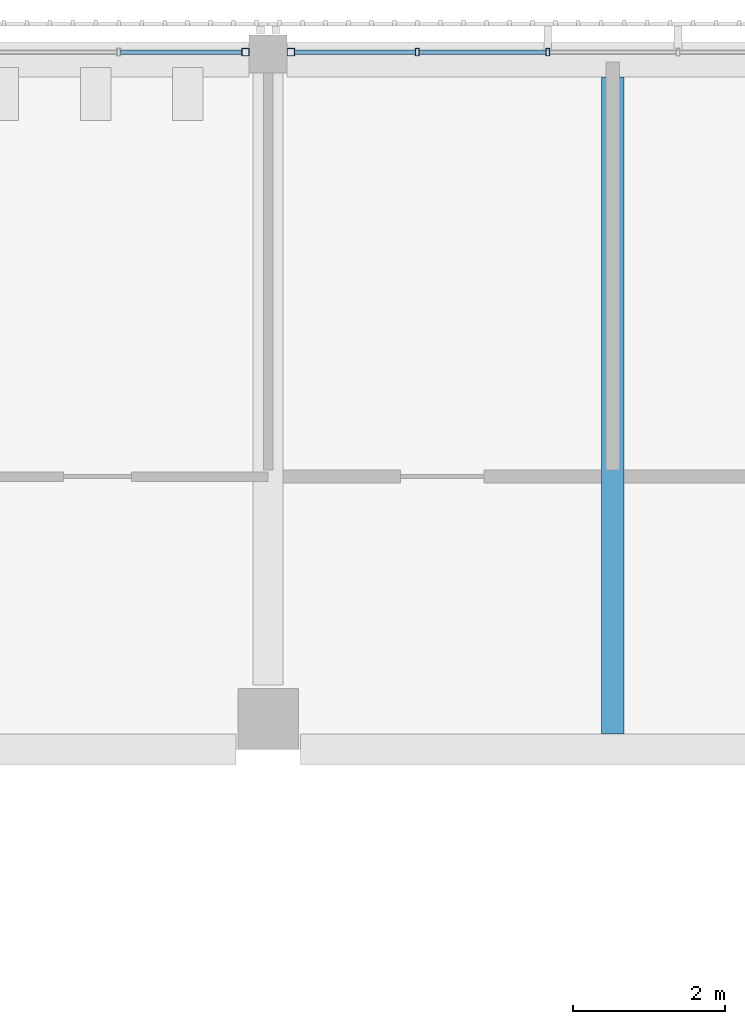
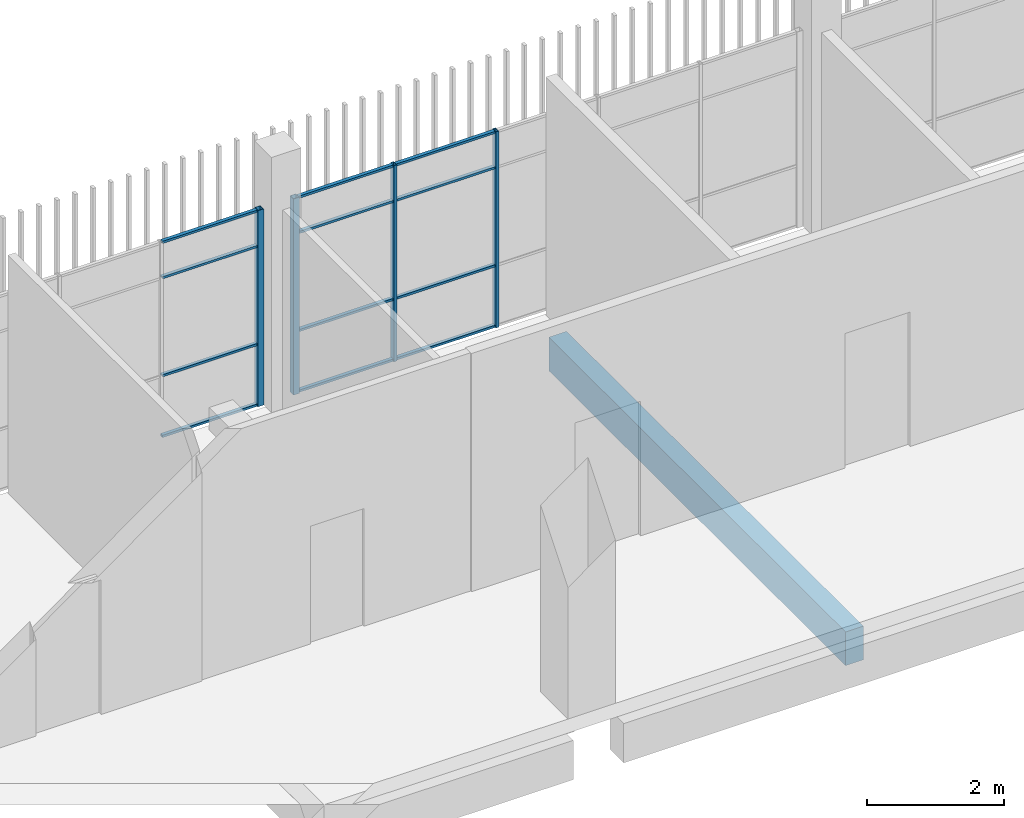
# One storey, part 40 of 124: 16 members, 1 beam, 2 elements without a shape of their own.
"""IFC4 building model written with IfcOpenShell, lengths in metres."""

from ifc_helpers import new_model, si_unit, direction, frame, origin, origin_2d, place, context, subcontext, project, spatial, rectangle, hollow_rectangle, extrude, material, layer, layer_set, material_profile, profile_set, type_object, element, aggregate, save


model = new_model("IFC4")

# Units and contexts
model_context = context("Model", 3, precision=1e-05, world=origin(), true_north=direction((0.0, 1.0)))
body_context = subcontext(model_context, "Body", "Model", "MODEL_VIEW")
ifc_project = project(units=[si_unit("LENGTHUNIT", "METRE"), si_unit("AREAUNIT", "SQUARE_METRE"), si_unit("VOLUMEUNIT", "CUBIC_METRE"), si_unit("PLANEANGLEUNIT", "RADIAN"), si_unit("MASSUNIT", "GRAM", prefix="KILO")], contexts=[model_context])

# Site, building, storey
site_placement = place(None, origin())
site = spatial("IfcSite", under=ifc_project, at=site_placement, CompositionType="ELEMENT")
building_placement = place(site_placement, origin())
building = spatial("IfcBuilding", under=site, at=building_placement, Name="Shirokan Park Arena", CompositionType="ELEMENT")
storey_placement = place(building_placement, frame((0.0, 0.0, 20.02001953125)))
storey = spatial("IfcBuildingStorey", under=building, at=storey_placement, Name="L04", CompositionType="ELEMENT", Elevation=20.02001953125)

# Curtain wall, member
ifc_material_1 = material(Name="Steel and glass curtain wall", Category="steel")
ifc_layer = layer(ifc_material_1, 0.10009765625)
ifc_layer_set = layer_set([ifc_layer], Name="Steel and glass curtain wall 100 mm")
curtain_wall_type = type_object("IfcCurtainWallType", Name="Curtain wall sheltered bay 100", PredefinedType="NOTDEFINED", material=ifc_layer_set)
curtain_wall_1_placement = place(storey_placement, origin())
curtain_wall_1 = element("IfcCurtainWall", 1, at=curtain_wall_1_placement, inside=storey, type_object=curtain_wall_type, Name="Curtain wall north bay 8 L04", PredefinedType="NOTDEFINED")
ifc_material_2 = material(Name="Steel S355", Category="steel")
ifc_material_profile_1 = material_profile(ifc_material_2, hollow_rectangle(XDim=0.10009765625, YDim=0.10009765625, WallThickness=0.006103515625, at=origin_2d()), Name="RHS 100x100x6")
ifc_profile_set_1 = profile_set([ifc_material_profile_1], Name="Steel S355")
member_type_1 = type_object("IfcMemberType", Name="Mullion RHS 100x100x6", PredefinedType="MULLION", material=ifc_profile_set_1)
member_1_placement = place(storey_placement, frame((73.10009765625, 109.300048828125, 0.0), z_axis=(0.0, 0.0, 1.0), x_axis=(0.0, -1.0, 0.0)))
member_1 = element("IfcMember", 2, at=member_1_placement, type_object=member_type_1, Name="CW2 mullion 6", PredefinedType="MULLION", context=body_context, shape_type="SweptSolid", body=[
    extrude(hollow_rectangle(XDim=0.10009765625, YDim=0.10009765625, WallThickness=0.006103515625, at=origin_2d()), origin(), (0.0, 0.0, 1.0), 3.5),
])

curtain_wall_2_placement = place(storey_placement, origin())
curtain_wall_2 = element("IfcCurtainWall", 3, at=curtain_wall_2_placement, inside=storey, type_object=curtain_wall_type, Name="Curtain wall north bay 9 L04", PredefinedType="NOTDEFINED")
member_2_placement = place(storey_placement, frame((72.5, 109.300048828125, 0.0), z_axis=(0.0, 0.0, 1.0), x_axis=(0.0, -1.0, 0.0)))
member_2 = element("IfcMember", 4, at=member_2_placement, type_object=member_type_1, Name="CW2 mullion 1", PredefinedType="MULLION", context=body_context, shape_type="SweptSolid", body=[
    extrude(hollow_rectangle(XDim=0.10009765625, YDim=0.10009765625, WallThickness=0.006103515625, at=origin_2d()), origin(), (0.0, 0.0, 1.0), 3.5),
])

# Member
ifc_material_profile_2 = material_profile(ifc_material_2, hollow_rectangle(XDim=0.10009765625, YDim=0.050048828125, WallThickness=0.0048828125, at=origin_2d()), Name="RHS 100x50x5")
ifc_profile_set_2 = profile_set([ifc_material_profile_2], Name="Steel S355")
member_type_2 = type_object("IfcMemberType", Name="Mullion RHS 100x50x5", PredefinedType="MULLION", material=ifc_profile_set_2)
member_3_placement = place(storey_placement, frame((76.489990234375, 109.300048828125, 0.0), z_axis=(0.0, 0.0, 1.0), x_axis=(0.0, -1.0, 0.0)))
member_3 = element("IfcMember", 5, at=member_3_placement, type_object=member_type_2, Name="CW2 mullion 4", PredefinedType="MULLION", context=body_context, shape_type="SweptSolid", body=[
    extrude(hollow_rectangle(XDim=0.10009765625, YDim=0.050048828125, WallThickness=0.0048828125, at=origin_2d()), origin(), (0.0, 0.0, 1.0), 3.5),
])

member_4_placement = place(storey_placement, frame((74.77001953125, 109.300048828125, 0.0), z_axis=(0.0, 0.0, 1.0), x_axis=(0.0, -1.0, 0.0)))
member_4 = element("IfcMember", 6, at=member_4_placement, type_object=member_type_2, Name="CW2 mullion 5", PredefinedType="MULLION", context=body_context, shape_type="SweptSolid", body=[
    extrude(hollow_rectangle(XDim=0.10009765625, YDim=0.050048828125, WallThickness=0.0048828125, at=origin_2d()), origin(), (0.0, 0.0, 1.0), 3.5),
])

# Beam
ifc_material_3 = material(Name="Concrete C35", Category="concrete")
ifc_material_profile_3 = material_profile(ifc_material_3, rectangle(XDim=0.300048828125, YDim=0.60009765625, at=origin_2d()), Name="300x600")
ifc_profile_set_3 = profile_set([ifc_material_profile_3], Name="Concrete C35")
beam_type = type_object("IfcBeamType", Name="RC joist 300x600", PredefinedType="JOIST", material=ifc_profile_set_3)
beam_placement = place(storey_placement, frame((77.35009765625, 100.300048828125, -0.550048828125), z_axis=(0.0, 1.0, 0.0), x_axis=(-1.0, 0.0, 0.0)))
element("IfcBeam", 7, at=beam_placement, inside=storey, type_object=beam_type, Name="Joist 9M L04", PredefinedType="JOIST", context=body_context, shape_type="SweptSolid", body=[
    extrude(rectangle(XDim=0.300048828125, YDim=0.60009765625, at=origin_2d()), origin(), (0.0, 0.0, 1.0), 8.675048828125),
])

# Member
ifc_material_profile_4 = material_profile(ifc_material_2, hollow_rectangle(XDim=0.06005859375, YDim=0.0400390625, WallThickness=0.00390625, at=origin_2d()), Name="RHS 60x40x4")
ifc_profile_set_4 = profile_set([ifc_material_profile_4], Name="Steel S355")
member_type_3 = type_object("IfcMemberType", Name="Transom RHS 60x40x4", PredefinedType="MULLION", material=ifc_profile_set_4)
member_5_placement = place(storey_placement, frame((76.465087890625, 109.300048828125, 0.02001953125), z_axis=(-1.0, 0.0, 0.0), x_axis=(0.0, -1.0, 0.0)))
member_5 = element("IfcMember", 8, at=member_5_placement, type_object=member_type_3, Name="CW2 transom 4.1", PredefinedType="MULLION", context=body_context, shape_type="SweptSolid", body=[
    extrude(hollow_rectangle(XDim=0.06005859375, YDim=0.0400390625, WallThickness=0.00390625, at=origin_2d()), origin(), (0.0, 0.0, 1.0), 1.670166015625),
])

member_6_placement = place(storey_placement, frame((76.465087890625, 109.300048828125, 1.10009765625), z_axis=(-1.0, 0.0, 0.0), x_axis=(0.0, -1.0, 0.0)))
member_6 = element("IfcMember", 9, at=member_6_placement, type_object=member_type_3, Name="CW2 transom 4.2", PredefinedType="MULLION", context=body_context, shape_type="SweptSolid", body=[
    extrude(hollow_rectangle(XDim=0.06005859375, YDim=0.0400390625, WallThickness=0.00390625, at=origin_2d()), origin(), (0.0, 0.0, 1.0), 1.670166015625),
])

member_7_placement = place(storey_placement, frame((76.465087890625, 109.300048828125, 2.85009765625), z_axis=(-1.0, 0.0, 0.0), x_axis=(0.0, -1.0, 0.0)))
member_7 = element("IfcMember", 10, at=member_7_placement, type_object=member_type_3, Name="CW2 transom 4.3", PredefinedType="MULLION", context=body_context, shape_type="SweptSolid", body=[
    extrude(hollow_rectangle(XDim=0.06005859375, YDim=0.0400390625, WallThickness=0.00390625, at=origin_2d()), origin(), (0.0, 0.0, 1.0), 1.670166015625),
])

member_8_placement = place(storey_placement, frame((76.465087890625, 109.300048828125, 3.47998046875), z_axis=(-1.0, 0.0, 0.0), x_axis=(0.0, -1.0, 0.0)))
member_8 = element("IfcMember", 11, at=member_8_placement, type_object=member_type_3, Name="CW2 transom 4.4", PredefinedType="MULLION", context=body_context, shape_type="SweptSolid", body=[
    extrude(hollow_rectangle(XDim=0.06005859375, YDim=0.0400390625, WallThickness=0.00390625, at=origin_2d()), origin(), (0.0, 0.0, 1.0), 1.670166015625),
])

member_9_placement = place(storey_placement, frame((74.7451171875, 109.300048828125, 0.02001953125), z_axis=(-1.0, 0.0, 0.0), x_axis=(0.0, -1.0, 0.0)))
member_9 = element("IfcMember", 12, at=member_9_placement, type_object=member_type_3, Name="CW2 transom 5.1", PredefinedType="MULLION", context=body_context, shape_type="SweptSolid", body=[
    extrude(hollow_rectangle(XDim=0.06005859375, YDim=0.0400390625, WallThickness=0.00390625, at=origin_2d()), origin(), (0.0, 0.0, 1.0), 1.59521484375),
])

member_10_placement = place(storey_placement, frame((74.7451171875, 109.300048828125, 1.10009765625), z_axis=(-1.0, 0.0, 0.0), x_axis=(0.0, -1.0, 0.0)))
member_10 = element("IfcMember", 13, at=member_10_placement, type_object=member_type_3, Name="CW2 transom 5.2", PredefinedType="MULLION", context=body_context, shape_type="SweptSolid", body=[
    extrude(hollow_rectangle(XDim=0.06005859375, YDim=0.0400390625, WallThickness=0.00390625, at=origin_2d()), origin(), (0.0, 0.0, 1.0), 1.59521484375),
])

member_11_placement = place(storey_placement, frame((74.7451171875, 109.300048828125, 2.85009765625), z_axis=(-1.0, 0.0, 0.0), x_axis=(0.0, -1.0, 0.0)))
member_11 = element("IfcMember", 14, at=member_11_placement, type_object=member_type_3, Name="CW2 transom 5.3", PredefinedType="MULLION", context=body_context, shape_type="SweptSolid", body=[
    extrude(hollow_rectangle(XDim=0.06005859375, YDim=0.0400390625, WallThickness=0.00390625, at=origin_2d()), origin(), (0.0, 0.0, 1.0), 1.59521484375),
])

member_12_placement = place(storey_placement, frame((74.7451171875, 109.300048828125, 3.47998046875), z_axis=(-1.0, 0.0, 0.0), x_axis=(0.0, -1.0, 0.0)))
member_12 = element("IfcMember", 15, at=member_12_placement, type_object=member_type_3, Name="CW2 transom 5.4", PredefinedType="MULLION", context=body_context, shape_type="SweptSolid", body=[
    extrude(hollow_rectangle(XDim=0.06005859375, YDim=0.0400390625, WallThickness=0.00390625, at=origin_2d()), origin(), (0.0, 0.0, 1.0), 1.59521484375),
])

aggregate(curtain_wall_1, [member_3, member_4, member_1, member_5, member_6, member_7, member_8, member_9, member_10, member_11, member_12])

member_13_placement = place(storey_placement, frame((72.449951171875, 109.300048828125, 0.02001953125), z_axis=(-1.0, 0.0, 0.0), x_axis=(0.0, -1.0, 0.0)))
member_13 = element("IfcMember", 16, at=member_13_placement, type_object=member_type_3, Name="CW2 transom 1.1", PredefinedType="MULLION", context=body_context, shape_type="SweptSolid", body=[
    extrude(hollow_rectangle(XDim=0.06005859375, YDim=0.0400390625, WallThickness=0.00390625, at=origin_2d()), origin(), (0.0, 0.0, 1.0), 1.594970703125),
])

member_14_placement = place(storey_placement, frame((72.449951171875, 109.300048828125, 1.10009765625), z_axis=(-1.0, 0.0, 0.0), x_axis=(0.0, -1.0, 0.0)))
member_14 = element("IfcMember", 17, at=member_14_placement, type_object=member_type_3, Name="CW2 transom 1.2", PredefinedType="MULLION", context=body_context, shape_type="SweptSolid", body=[
    extrude(hollow_rectangle(XDim=0.06005859375, YDim=0.0400390625, WallThickness=0.00390625, at=origin_2d()), origin(), (0.0, 0.0, 1.0), 1.594970703125),
])

member_15_placement = place(storey_placement, frame((72.449951171875, 109.300048828125, 2.85009765625), z_axis=(-1.0, 0.0, 0.0), x_axis=(0.0, -1.0, 0.0)))
member_15 = element("IfcMember", 18, at=member_15_placement, type_object=member_type_3, Name="CW2 transom 1.3", PredefinedType="MULLION", context=body_context, shape_type="SweptSolid", body=[
    extrude(hollow_rectangle(XDim=0.06005859375, YDim=0.0400390625, WallThickness=0.00390625, at=origin_2d()), origin(), (0.0, 0.0, 1.0), 1.594970703125),
])

member_16_placement = place(storey_placement, frame((72.449951171875, 109.300048828125, 3.47998046875), z_axis=(-1.0, 0.0, 0.0), x_axis=(0.0, -1.0, 0.0)))
member_16 = element("IfcMember", 19, at=member_16_placement, type_object=member_type_3, Name="CW2 transom 1.4", PredefinedType="MULLION", context=body_context, shape_type="SweptSolid", body=[
    extrude(hollow_rectangle(XDim=0.06005859375, YDim=0.0400390625, WallThickness=0.00390625, at=origin_2d()), origin(), (0.0, 0.0, 1.0), 1.594970703125),
])

aggregate(curtain_wall_2, [member_2, member_13, member_14, member_15, member_16])

save(model, "model.ifc")
